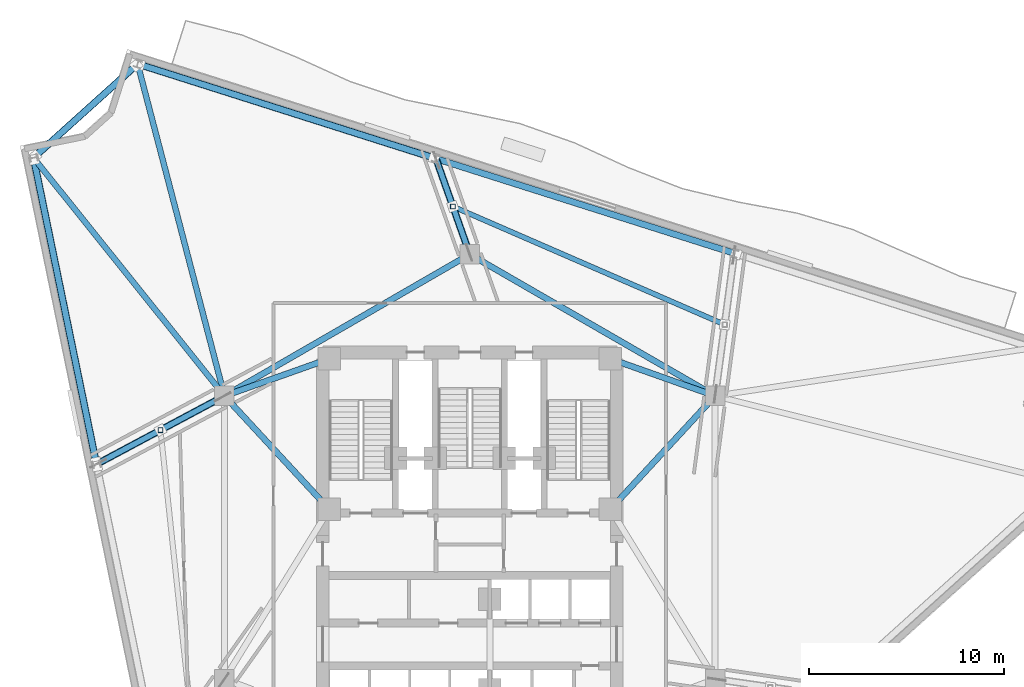
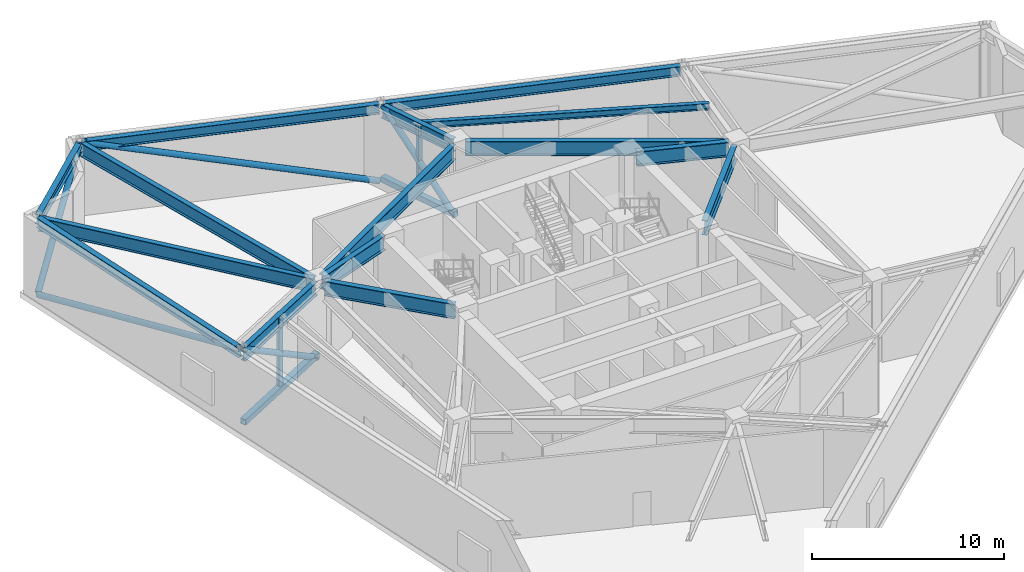
# One storey, part 6 of 16: 15 beams, 9 members.
"""IFC4 building model written with IfcOpenShell, lengths in metres."""

from ifc_helpers import new_model, si_unit, direction, frame, origin, origin_2d, place, context, subcontext, project, spatial, hollow_rectangle, hollow_circle, i_section, extrude, material, material_profile, profile_set, type_object, element, save


model = new_model("IFC4")

# Units and contexts
model_context = context("Model", 3, precision=1e-05, world=origin(), true_north=direction((0.0, 1.0)))
body_context = subcontext(model_context, "Body", "Model", "MODEL_VIEW")
ifc_project = project(units=[si_unit("LENGTHUNIT", "METRE"), si_unit("AREAUNIT", "SQUARE_METRE"), si_unit("VOLUMEUNIT", "CUBIC_METRE"), si_unit("PLANEANGLEUNIT", "RADIAN"), si_unit("MASSUNIT", "GRAM", prefix="KILO")], contexts=[model_context])

# Site, building, storey
site_placement = place(None, origin())
site = spatial("IfcSite", under=ifc_project, at=site_placement, CompositionType="ELEMENT")
building_placement = place(site_placement, origin())
building = spatial("IfcBuilding", under=site, at=building_placement, Name="Apsidion Concourse Tower", CompositionType="ELEMENT")
storey_placement = place(building_placement, frame((0.0, 0.0, 227.0)))
storey = spatial("IfcBuildingStorey", under=building, at=storey_placement, Name="L53", CompositionType="ELEMENT", Elevation=227.0)

# Beams
ifc_material_1 = material(Name="Structural steel ASTM A992 Grade 50", Category="steel")
ifc_material_profile_1 = material_profile(ifc_material_1, i_section(OverallWidth=0.260009765625, OverallDepth=0.4150390625, WebThickness=0.010009765625, FlangeThickness=0.016845703125, at=origin_2d()), Name="W16X67")
ifc_profile_set_1 = profile_set([ifc_material_profile_1], Name="Structural steel ASTM A992 Grade 50")
beam_type_1 = type_object("IfcBeamType", Name="BM-FL-W16H", PredefinedType="BEAM", material=ifc_profile_set_1)
beam_1_placement = place(storey_placement, frame((13.049560546875, 10.901611328125, 4.742431640625), z_axis=(-0.917117371842, 0.398617267897, 0.0), x_axis=(-0.398617267897, -0.917117371842, 0.0)))
element("IfcBeam", 1, at=beam_1_placement, inside=storey, type_object=beam_type_1, Name="L53 Secondary Floor Beam SEC-F3", PredefinedType="BEAM", context=body_context, shape_type="SweptSolid", body=[
    extrude(i_section(OverallWidth=0.260009765625, OverallDepth=0.4150390625, WebThickness=0.010009765625, FlangeThickness=0.016845703125, at=origin_2d()), origin(), (0.0, 0.0, 1.0), 15.173828125),
])
ifc_material_profile_2 = material_profile(ifc_material_1, i_section(OverallWidth=0.2919921875, OverallDepth=0.85888671875, WebThickness=0.01708984375, FlangeThickness=0.031005859375, at=origin_2d()), Name="W33X169")
ifc_profile_set_2 = profile_set([ifc_material_profile_2], Name="Structural steel ASTM A992 Grade 50")
beam_type_2 = type_object("IfcBeamType", Name="BM-G-W33", PredefinedType="USERDEFINED", material=ifc_profile_set_2)
beam_2_placement = place(storey_placement, frame((-12.697509765625, 7.421630859375, 4.5205078125), z_axis=(-0.625472520241, 0.780246196033, 0.0), x_axis=(-0.780246196033, -0.625472520241, 0.0)))
element("IfcBeam", 2, at=beam_2_placement, inside=storey, type_object=beam_type_2, Name="L53 Radial Floor Girder RAD-01", ObjectType="GIRDER", PredefinedType="USERDEFINED", context=body_context, shape_type="SweptSolid", body=[
    extrude(i_section(OverallWidth=0.2919921875, OverallDepth=0.85888671875, WebThickness=0.01708984375, FlangeThickness=0.031005859375, at=origin_2d()), origin(), (0.0, 0.0, 1.0), 15.311767578125),
])
beam_3_placement = place(storey_placement, frame((-12.754150390625, 7.146484375, 4.5205078125), z_axis=(-0.88214083385, -0.470985720861, 0.0), x_axis=(0.470985720861, -0.88214083385, 0.0)))
element("IfcBeam", 3, at=beam_3_placement, inside=storey, type_object=beam_type_2, Name="L53 Radial Floor Girder RAD-02", ObjectType="GIRDER", PredefinedType="USERDEFINED", context=body_context, shape_type="SweptSolid", body=[
    extrude(i_section(OverallWidth=0.2919921875, OverallDepth=0.85888671875, WebThickness=0.01708984375, FlangeThickness=0.031005859375, at=origin_2d()), origin(), (0.0, 0.0, 1.0), 7.1083984375),
])
beam_4_placement = place(storey_placement, frame((-0.073486328125, 14.70751953125, 4.5205078125), z_axis=(-0.333398660175, 0.94278594251, 0.0), x_axis=(-0.94278594251, -0.333398660175, 0.0)))
element("IfcBeam", 4, at=beam_4_placement, inside=storey, type_object=beam_type_2, Name="L53 Radial Floor Girder RAD-11", ObjectType="GIRDER", PredefinedType="USERDEFINED", context=body_context, shape_type="SweptSolid", body=[
    extrude(i_section(OverallWidth=0.2919921875, OverallDepth=0.85888671875, WebThickness=0.01708984375, FlangeThickness=0.031005859375, at=origin_2d()), origin(), (0.0, 0.0, 1.0), 4.877685546875),
])
beam_5_placement = place(storey_placement, frame((-12.61572265625, 7.462890625, 4.5205078125), z_axis=(-0.253011847296, 0.967463180244, 0.0), x_axis=(-0.967463180244, -0.253011847296, 0.0)))
element("IfcBeam", 5, at=beam_5_placement, inside=storey, type_object=beam_type_2, Name="L53 Radial Floor Girder RAD-12", ObjectType="GIRDER", PredefinedType="USERDEFINED", context=body_context, shape_type="SweptSolid", body=[
    extrude(i_section(OverallWidth=0.2919921875, OverallDepth=0.85888671875, WebThickness=0.01708984375, FlangeThickness=0.031005859375, at=origin_2d()), origin(), (0.0, 0.0, 1.0), 17.249267578125),
])
ifc_material_profile_3 = material_profile(ifc_material_1, i_section(OverallWidth=0.31005859375, OverallDepth=0.931884765625, WebThickness=0.02099609375, FlangeThickness=0.034423828125, at=origin_2d()), Name="W36X210")
ifc_profile_set_3 = profile_set([ifc_material_profile_3], Name="Structural steel ASTM A992 Grade 50")
beam_type_3 = type_object("IfcBeamType", Name="BM-G-W36", PredefinedType="USERDEFINED", material=ifc_profile_set_3)
beam_6_placement = place(storey_placement, frame((12.28857421875, 6.956298828125, 4.48388671875), z_axis=(-0.678712876106, -0.73440372535, 0.0), x_axis=(0.73440372535, -0.678712876106, 0.0)))
element("IfcBeam", 6, at=beam_6_placement, inside=storey, type_object=beam_type_3, Name="L53 Core Coupling Girder IC3-SC3", ObjectType="GIRDER", PredefinedType="USERDEFINED", context=body_context, shape_type="SweptSolid", body=[
    extrude(i_section(OverallWidth=0.31005859375, OverallDepth=0.931884765625, WebThickness=0.02099609375, FlangeThickness=0.034423828125, at=origin_2d()), origin(), (0.0, 0.0, 1.0), 7.097412109375),
])
beam_7_placement = place(storey_placement, frame((12.18310546875, 7.383544921875, 4.48388671875), z_axis=(-0.942533844539, 0.334110688094, 0.0), x_axis=(-0.334110688094, -0.942533844539, 0.0)))
element("IfcBeam", 7, at=beam_7_placement, inside=storey, type_object=beam_type_3, Name="L53 Core Coupling Girder IC3-SC4", ObjectType="GIRDER", PredefinedType="USERDEFINED", context=body_context, shape_type="SweptSolid", body=[
    extrude(i_section(OverallWidth=0.31005859375, OverallDepth=0.931884765625, WebThickness=0.02099609375, FlangeThickness=0.034423828125, at=origin_2d()), origin(), (0.0, 0.0, 1.0), 4.886962890625),
])
beam_8_placement = place(storey_placement, frame((-12.28857421875, 6.956298828125, 4.48388671875), z_axis=(0.678712876106, -0.73440372535, 0.0), x_axis=(0.73440372535, 0.678712876106, 0.0)))
element("IfcBeam", 8, at=beam_8_placement, inside=storey, type_object=beam_type_3, Name="L53 Core Coupling Girder IC5-SC6", ObjectType="GIRDER", PredefinedType="USERDEFINED", context=body_context, shape_type="SweptSolid", body=[
    extrude(i_section(OverallWidth=0.31005859375, OverallDepth=0.931884765625, WebThickness=0.02099609375, FlangeThickness=0.034423828125, at=origin_2d()), origin(), (0.0, 0.0, 1.0), 7.097412109375),
])
beam_9_placement = place(storey_placement, frame((-12.18310546875, 7.383544921875, 4.48388671875), z_axis=(0.942533844539, 0.334110688094, 0.0), x_axis=(-0.334110688094, 0.942533844539, 0.0)))
element("IfcBeam", 9, at=beam_9_placement, inside=storey, type_object=beam_type_3, Name="L53 Core Coupling Girder IC5-SC5", ObjectType="GIRDER", PredefinedType="USERDEFINED", context=body_context, shape_type="SweptSolid", body=[
    extrude(i_section(OverallWidth=0.31005859375, OverallDepth=0.931884765625, WebThickness=0.02099609375, FlangeThickness=0.034423828125, at=origin_2d()), origin(), (0.0, 0.0, 1.0), 4.886962890625),
])
for number, where, z_axis, x_axis, name in (
    (10, (-12.213623046875, 7.449951171875, 4.48388671875), (0.866070471464, 0.499921932364, 0.0), (-0.499921932364, 0.866070471464, 0.0), "L53 Core Coupling Girder IC5-IC4"),
    (11, (0.346435546875, 14.300048828125, 4.48388671875), (0.866070471464, -0.499921932364, 0.0), (0.499921932364, 0.866070471464, 0.0), "L53 Core Coupling Girder IC4-IC3"),
):
    element("IfcBeam", number, at=place(storey_placement, frame(where, z_axis=z_axis, x_axis=x_axis)), inside=storey, type_object=beam_type_3, Name=name, ObjectType="GIRDER", PredefinedType="USERDEFINED", context=body_context, shape_type="SweptSolid", body=[
        extrude(i_section(OverallWidth=0.31005859375, OverallDepth=0.931884765625, WebThickness=0.02099609375, FlangeThickness=0.034423828125, at=origin_2d()), origin(), (0.0, 0.0, 1.0), 13.702392578125),
    ])
ifc_material_profile_4 = material_profile(ifc_material_1, i_section(OverallWidth=0.324951171875, OverallDepth=0.616943359375, WebThickness=0.013916015625, FlangeThickness=0.021484375, at=origin_2d()), Name="W24X117")
ifc_profile_set_4 = profile_set([ifc_material_profile_4], Name="Structural steel ASTM A992 Grade 50")
beam_type_4 = type_object("IfcBeamType", Name="BM-SP-W24", PredefinedType="SPANDREL", material=ifc_profile_set_4)
for number, where, z_axis, x_axis, name in (
    (12, (-22.317138671875, 19.3486328125, 4.6416015625), (0.201231912796, -0.979543627039, 0.0), (0.979543627039, 0.201231912796, 0.0), "L53 Perimeter Spandrel Girder SP-01"),
    (13, (13.44384765625, 14.58349609375, 4.6416015625), (-0.953145595639, 0.302511939458, 0.0), (-0.302511939458, -0.953145595639, 0.0), "L53 Perimeter Spandrel Girder SP-10"),
    (14, (-1.828369140625, 19.4306640625, 4.6416015625), (-0.953145595639, 0.302511939458, 0.0), (-0.302511939458, -0.953145595639, 0.0), "L53 Perimeter Spandrel Girder SP-11"),
):
    element("IfcBeam", number, at=place(storey_placement, frame(where, z_axis=z_axis, x_axis=x_axis)), inside=storey, type_object=beam_type_4, Name=name, PredefinedType="SPANDREL", context=body_context, shape_type="SweptSolid", body=[
        extrude(i_section(OverallWidth=0.324951171875, OverallDepth=0.616943359375, WebThickness=0.013916015625, FlangeThickness=0.021484375, at=origin_2d()), origin(), (0.0, 0.0, 1.0), 15.822998046875),
    ])
beam_10_placement = place(storey_placement, frame((-17.07958984375, 24.1806640625, 4.6416015625), z_axis=(-0.743153149962, -0.669121360966, 0.0), x_axis=(0.669121360966, -0.743153149962, 0.0)))
element("IfcBeam", 15, at=beam_10_placement, inside=storey, type_object=beam_type_4, Name="L53 Perimeter Spandrel Girder SP-12", PredefinedType="SPANDREL", context=body_context, shape_type="SweptSolid", body=[
    extrude(i_section(OverallWidth=0.324951171875, OverallDepth=0.616943359375, WebThickness=0.013916015625, FlangeThickness=0.021484375, at=origin_2d()), origin(), (0.0, 0.0, 1.0), 6.974853515625),
])

# Members
ifc_material_2 = material(Name="Structural steel ASTM A500 Grade C", Category="steel")
ifc_material_profile_5 = material_profile(ifc_material_2, hollow_circle(Radius=0.177978515625, WallThickness=0.02001953125, at=origin_2d()), Name="CHS356X20")
ifc_profile_set_5 = profile_set([ifc_material_profile_5], Name="Structural steel ASTM A500 Grade C")
member_type_1 = type_object("IfcMemberType", Name="MB-BR-CHS356", PredefinedType="BRACE", material=ifc_profile_set_5)
member_1_placement = place(storey_placement, frame((-0.033203125, 14.59423828125, 0.0), z_axis=(-0.239289066819, 0.676571782831, 0.69641321439), x_axis=(-0.942771891745, -0.333438390314, 0.0)))
element("IfcMember", 16, at=member_1_placement, inside=storey, type_object=member_type_1, Name="L53 Radial Outrigger Truss Diagonal OT-04", PredefinedType="BRACE", context=body_context, shape_type="SweptSolid", body=[
    extrude(hollow_circle(Radius=0.177978515625, WallThickness=0.02001953125, at=origin_2d()), origin(), (0.0, 0.0, 1.0), 6.96435546875),
])
member_2_placement = place(storey_placement, frame((-12.648193359375, 7.202880859375, 0.0), z_axis=(-0.732530357713, -0.391086733592, 0.557180798159), x_axis=(0.470966852575, -0.882150907598, 0.0)))
element("IfcMember", 17, at=member_2_placement, inside=storey, type_object=member_type_1, Name="L53 Radial Outrigger Truss Diagonal OT-05", PredefinedType="BRACE", context=body_context, shape_type="SweptSolid", body=[
    extrude(hollow_circle(Radius=0.177978515625, WallThickness=0.02001953125, at=origin_2d()), origin(), (0.0, 0.0, 1.0), 8.70458984375),
])
for number, where, z_axis, x_axis, name in (
    (18, (-22.317138671875, 19.3486328125, 0.0), (0.192396362418, -0.936534509134, 0.293064417712), (0.979543627039, 0.201231912796, 0.0), "L53 Perimeter Belt-Truss Diagonal BT-01"),
    (19, (-1.828369140625, 19.4306640625, 0.0), (-0.911295388697, 0.289229407045, 0.293064949523), (-0.302511939458, -0.953145595639, 0.0), "L53 Perimeter Belt-Truss Diagonal BT-11"),
):
    element("IfcMember", number, at=place(storey_placement, frame(where, z_axis=z_axis, x_axis=x_axis)), inside=storey, type_object=member_type_1, Name=name, PredefinedType="BRACE", context=body_context, shape_type="SweptSolid", body=[
        extrude(hollow_circle(Radius=0.177978515625, WallThickness=0.02001953125, at=origin_2d()), origin(), (0.0, 0.0, 1.0), 16.549560546875),
    ])
member_3_placement = place(storey_placement, frame((-22.262939453125, 19.513671875, 0.0), z_axis=(0.61013790712, 0.549356894753, 0.570910445238), x_axis=(-0.669121360966, 0.743153149962, 0.0)))
element("IfcMember", 20, at=member_3_placement, inside=storey, type_object=member_type_1, Name="L53 Perimeter Belt-Truss Diagonal BT-12", PredefinedType="BRACE", context=body_context, shape_type="SweptSolid", body=[
    extrude(hollow_circle(Radius=0.177978515625, WallThickness=0.02001953125, at=origin_2d()), origin(), (0.0, 0.0, 1.0), 8.495361328125),
])
ifc_material_profile_6 = material_profile(ifc_material_2, hollow_rectangle(XDim=0.35009765625, YDim=0.35009765625, WallThickness=0.02197265625, at=origin_2d()), Name="HSS350X350X22")
ifc_profile_set_6 = profile_set([ifc_material_profile_6], Name="Structural steel ASTM A500 Grade C")
member_type_2 = type_object("IfcMemberType", Name="MB-CH-HSS350", PredefinedType="CHORD", material=ifc_profile_set_6)
member_4_placement = place(storey_placement, frame((-0.033203125, 14.59423828125, 0.219970703125), z_axis=(-0.333438390314, 0.942771891745, 0.0), x_axis=(-0.942771891745, -0.333438390314, 0.0)))
element("IfcMember", 21, at=member_4_placement, inside=storey, type_object=member_type_2, Name="L53 Radial Outrigger Bottom Chord OTC-04", PredefinedType="CHORD", context=body_context, shape_type="SweptSolid", body=[
    extrude(hollow_rectangle(XDim=0.35009765625, YDim=0.35009765625, WallThickness=0.02197265625, at=origin_2d()), origin(), (0.0, 0.0, 1.0), 4.998046875),
])
member_5_placement = place(storey_placement, frame((-12.648193359375, 7.202880859375, 0.219970703125), z_axis=(-0.882150907598, -0.470966852575, 0.0), x_axis=(0.470966852575, -0.882150907598, 0.0)))
element("IfcMember", 22, at=member_5_placement, inside=storey, type_object=member_type_2, Name="L53 Radial Outrigger Bottom Chord OTC-05", PredefinedType="CHORD", context=body_context, shape_type="SweptSolid", body=[
    extrude(hollow_rectangle(XDim=0.35009765625, YDim=0.35009765625, WallThickness=0.02197265625, at=origin_2d()), origin(), (0.0, 0.0, 1.0), 7.228271484375),
])
ifc_material_profile_7 = material_profile(ifc_material_2, hollow_rectangle(XDim=0.25, YDim=0.25, WallThickness=0.01611328125, at=origin_2d()), Name="HSS250X250X16")
ifc_profile_set_7 = profile_set([ifc_material_profile_7], Name="Structural steel ASTM A500 Grade C")
member_type_3 = type_object("IfcMemberType", Name="MB-ST-HSS250", PredefinedType="STRUT", material=ifc_profile_set_7)
for number, where, z_axis, x_axis, name in (
    (23, (-0.86669921875, 16.9501953125, 0.219970703125), (0.0, 0.0, 1.0), (1.0, 0.0, 0.0), "L53 Outrigger Truss Compression Strut OTV-04"),
    (24, (-15.83642578125, 5.500732421875, 0.219970703125), (0.0, 0.0, 1.0), (1.0, 0.0, 0.0), "L53 Outrigger Truss Compression Strut OTV-05"),
):
    element("IfcMember", number, at=place(storey_placement, frame(where, z_axis=z_axis, x_axis=x_axis)), inside=storey, type_object=member_type_3, Name=name, PredefinedType="STRUT", context=body_context, shape_type="SweptSolid", body=[
        extrude(hollow_rectangle(XDim=0.25, YDim=0.25, WallThickness=0.01611328125, at=origin_2d()), origin(), (0.0, 0.0, 1.0), 4.630126953125),
    ])

save(model, "model.ifc")
